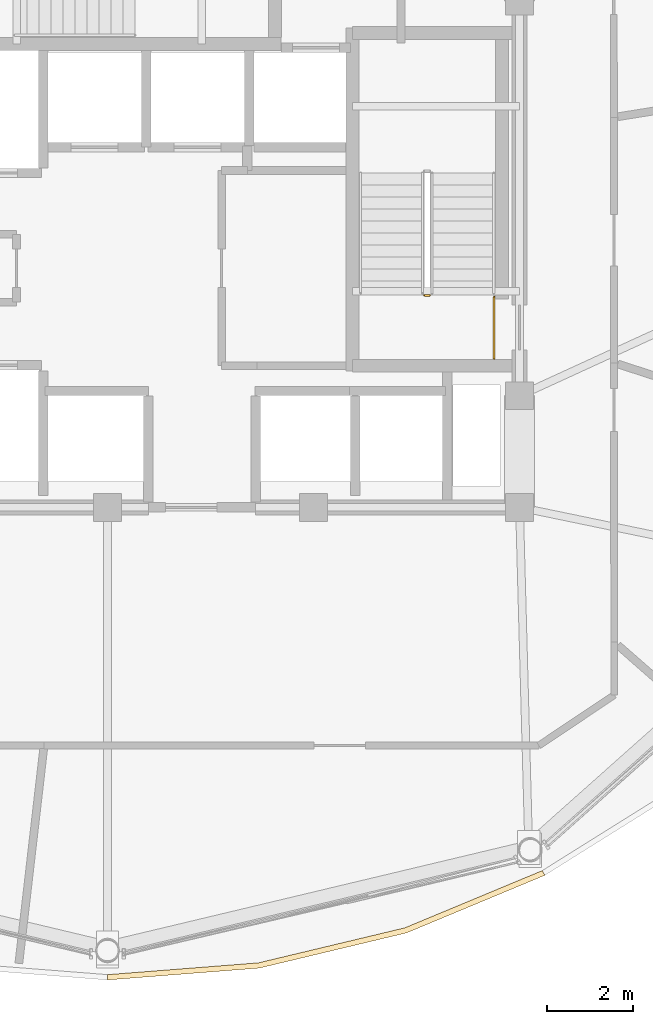
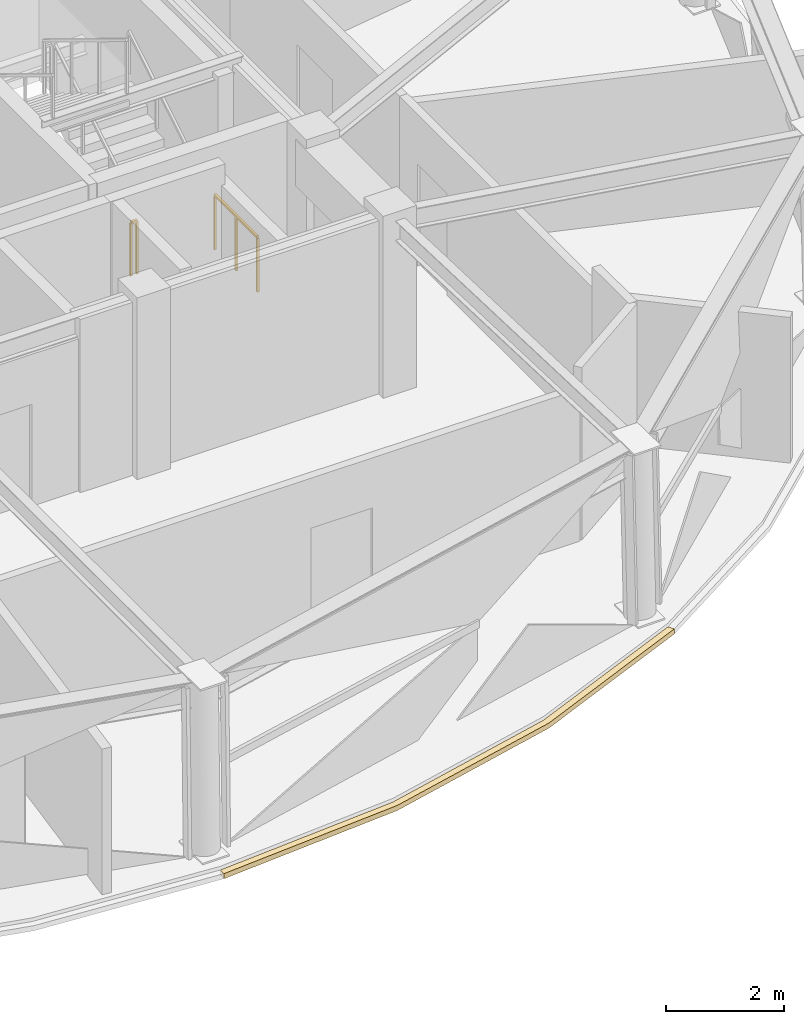
# One storey, part 12 of 14: 2 railings, 1 covering.
"""IFC4 building model written with IfcOpenShell, lengths in metres."""

import ifcopenshell
import ifcopenshell.guid

model = None  # the IFC model being written
_history = None  # IfcOwnerHistory: only IFC2X3 demands one
_inside = {}  # id of a spatial element -> (the spatial element, [elements in it])
_under = {}  # id of a project, library or spatial element -> (it, [spatial elements below it])
_declared = {}  # id of a project -> (the project, [libraries it declares])
_typed = {}  # id of a type object -> (the type object, [elements of that type])
_made_of = {}  # id of a material, layer set ... -> (it, [elements and type objects made of it])


def new_model(schema):
    """Start an empty IFC model of exactly this schema.

    Asked for "IFC4X3", IfcOpenShell would pick the latest addendum, in which some entities
    have other attributes; the version numbers below select the first issue.
    IFC2X3 requires an IfcOwnerHistory on every rooted entity: one is made here for all.
    """
    global model, _history
    if schema == "IFC4X3":
        model = ifcopenshell.file(schema_version=(4, 3, 0, 0))
    else:
        model = ifcopenshell.file(schema=schema)
    _inside.clear()
    _under.clear()
    _declared.clear()
    _typed.clear()
    _made_of.clear()
    _history = None
    if model.schema == "IFC2X3":
        org = make("IfcOrganization", Name="unknown")
        user = make(
            "IfcPersonAndOrganization",
            ThePerson=make("IfcPerson", FamilyName="unknown"),
            TheOrganization=org,
        )
        app = make(
            "IfcApplication",
            ApplicationDeveloper=org,
            Version="unknown",
            ApplicationFullName="unknown",
            ApplicationIdentifier="unknown",
        )
        _history = make(
            "IfcOwnerHistory",
            OwningUser=user,
            OwningApplication=app,
            ChangeAction="ADDED",
            CreationDate=0,
        )
    return model


def make(cls, **values):
    """One entity of the class cls with the attributes given. An attribute that is None is left unset."""
    return model.create_entity(
        cls, **{name: value for name, value in values.items() if value is not None}
    )


def rooted(cls, **values):
    """An entity with a GlobalId (a new one), such as an element, a storey or a relation."""
    return make(cls, GlobalId=ifcopenshell.guid.new(), OwnerHistory=_history, **values)


def si_unit(unit_type, name, prefix=None):
    """IfcSIUnit, for example si_unit("LENGTHUNIT", "METRE", prefix="MILLI")."""
    return make("IfcSIUnit", UnitType=unit_type, Prefix=prefix, Name=name)


def assignment(units):
    """IfcUnitAssignment: the units of a project."""
    return None if units is None else make("IfcUnitAssignment", Units=units)


def point(xyz):
    """IfcCartesianPoint."""
    return None if xyz is None else make("IfcCartesianPoint", Coordinates=xyz)


def direction(xyz):
    """IfcDirection."""
    return None if xyz is None else make("IfcDirection", DirectionRatios=xyz)


def frame(location, z_axis=None, x_axis=None):
    """IfcAxis2Placement3D, a coordinate frame: its origin and axes. An axis left out is left unset."""
    return make(
        "IfcAxis2Placement3D",
        Location=point(location),
        Axis=direction(z_axis),
        RefDirection=direction(x_axis),
    )


def frame_2d(location, x_axis=None):
    """IfcAxis2Placement2D, a coordinate frame in the plane: its origin and x axis."""
    return make(
        "IfcAxis2Placement2D", Location=point(location), RefDirection=direction(x_axis)
    )


def origin():
    """The frame at (0, 0, 0) with its axes left unset."""
    return frame((0.0, 0.0, 0.0))


def origin_2d():
    """The frame at (0, 0) in the plane with its x axis left unset."""
    return frame_2d((0.0, 0.0))


def place(relative_to, where):
    """IfcLocalPlacement: puts the frame where relative to a parent placement (None: the world)."""
    return make(
        "IfcLocalPlacement", PlacementRelTo=relative_to, RelativePlacement=where
    )


def context(
    kind, dimensions, precision=None, world=None, true_north=None, identifier=None
):
    """IfcGeometricRepresentationContext, for example the 3D "Model" context."""
    return make(
        "IfcGeometricRepresentationContext",
        ContextIdentifier=identifier,
        ContextType=kind,
        CoordinateSpaceDimension=dimensions,
        Precision=precision,
        WorldCoordinateSystem=world,
        TrueNorth=true_north,
    )


def subcontext(parent, identifier, kind, view, scale=None):
    """IfcGeometricRepresentationSubContext, for example "Body" below "Model"."""
    return make(
        "IfcGeometricRepresentationSubContext",
        ContextIdentifier=identifier,
        ContextType=kind,
        ParentContext=parent,
        TargetScale=scale,
        TargetView=view,
    )


def project(units=None, contexts=None):
    """IfcProject with its units and contexts."""
    return rooted(
        "IfcProject",
        Name="project",
        RepresentationContexts=contexts,
        UnitsInContext=assignment(units),
    )


def spatial(cls, under=None, at=None, **own):
    """A site, building, storey or space (cls), placed at a placement, below another one or the project."""
    s = rooted(cls, ObjectPlacement=at, **own)
    if under is not None:
        _under.setdefault(under.id(), (under, []))[1].append(s)
    return s


def polyline(points):
    """IfcPolyline through the points."""
    return make("IfcPolyline", Points=[point(p) for p in points])


def profile(cls, at=None, kind="AREA", **sizes):
    """A parametric profile (cls). Its sizes go by their IFC names, for example OverallWidth=200.0."""
    return make(cls, ProfileType=kind, Position=at, **sizes)


def rectangle(**sizes):
    """IfcRectangleProfileDef."""
    return profile("IfcRectangleProfileDef", **sizes)


def outline(outer, holes=None, kind="AREA"):
    """IfcArbitraryClosedProfileDef: a profile drawn as a closed curve; with holes, ...WithVoids."""
    if holes is None:
        return make("IfcArbitraryClosedProfileDef", ProfileType=kind, OuterCurve=outer)
    return make(
        "IfcArbitraryProfileDefWithVoids",
        ProfileType=kind,
        OuterCurve=outer,
        InnerCurves=holes,
    )


def extrude(swept, where, along, depth):
    """IfcExtrudedAreaSolid: the profile swept, set in the frame where, extruded along a direction by depth."""
    return make(
        "IfcExtrudedAreaSolid",
        SweptArea=swept,
        Position=where,
        ExtrudedDirection=direction(along),
        Depth=depth,
    )


def shape(context_of_items, identifier, shape_type, items):
    """IfcShapeRepresentation: the items that make up one representation, for example the "Body"."""
    return make(
        "IfcShapeRepresentation",
        ContextOfItems=context_of_items,
        RepresentationIdentifier=identifier,
        RepresentationType=shape_type,
        Items=items,
    )


def material(Name=None, Category=None):
    """IfcMaterial."""
    return make("IfcMaterial", Name=Name, Category=Category)


def layer(
    of_material, thickness, ventilated=None, Name=None, Category=None, Priority=None
):
    """IfcMaterialLayer: one layer of a wall or slab, of a material (None: an air gap)."""
    return make(
        "IfcMaterialLayer",
        Material=of_material,
        LayerThickness=thickness,
        IsVentilated=ventilated,
        Name=Name,
        Category=Category,
        Priority=Priority,
    )


def layer_set(layers, Name=None):
    """IfcMaterialLayerSet."""
    return make("IfcMaterialLayerSet", MaterialLayers=layers, LayerSetName=Name)


def made_of(thing, what):
    """Note that an element or type object is made of a material, layer set ...; save() writes the relation."""
    if what is not None:
        _made_of.setdefault(what.id(), (what, []))[1].append(thing)
    return thing


def type_object(cls, material=None, **own):
    """A type object (cls), such as IfcWallType, which elements share."""
    return made_of(rooted(cls, **own), material)


def element(
    cls,
    number,
    at=None,
    inside=None,
    cuts=None,
    type_object=None,
    material=None,
    context=None,
    identifier="Body",
    shape_type=None,
    held_by="IfcProductDefinitionShape",
    body=None,
    shapes=None,
    **own,
):
    """One element of the class cls, such as IfcWall. Its Tag is "e" and its number.

    at: its placement. inside: the storey or other place that contains it. cuts: it is an
    opening in that element (IfcRelVoidsElement). A single representation is given by context,
    identifier, shape_type and body (its items); several are given by shapes. held_by: the class
    of the entity that holds the representations. save() writes the other relations.
    """
    e = rooted(cls, Tag="e%d" % number, ObjectPlacement=at, **own)
    if body is not None:
        shapes = [shape(context, identifier, shape_type, body)]
    if shapes is not None:
        e.Representation = make(held_by, Representations=shapes)
    if inside is not None:
        _inside.setdefault(inside.id(), (inside, []))[1].append(e)
    if cuts is not None:
        rooted(
            "IfcRelVoidsElement", RelatingBuildingElement=cuts, RelatedOpeningElement=e
        )
    if type_object is not None:
        _typed.setdefault(type_object.id(), (type_object, []))[1].append(e)
    return made_of(e, material)


def aggregate(whole, parts):
    """IfcRelAggregates: a whole, such as a stair, and the parts it consists of."""
    return rooted("IfcRelAggregates", RelatingObject=whole, RelatedObjects=parts)


def save(model, path):
    """Write the relations noted so far, then the file.

    IfcRelAggregates (storeys below a building ...), IfcRelContainedInSpatialStructure (elements
    in a storey), IfcRelDefinesByType, IfcRelAssociatesMaterial and IfcRelDeclares: one each for
    every whole, place, type object, material and project.
    """
    for whole, parts in _under.values():
        aggregate(whole, parts)
    for where, things in _inside.values():
        rooted(
            "IfcRelContainedInSpatialStructure",
            RelatedElements=things,
            RelatingStructure=where,
        )
    for kind, things in _typed.values():
        rooted("IfcRelDefinesByType", RelatedObjects=things, RelatingType=kind)
    for what, things in _made_of.values():
        rooted("IfcRelAssociatesMaterial", RelatedObjects=things, RelatingMaterial=what)
    for by, libraries in _declared.values():
        rooted("IfcRelDeclares", RelatingContext=by, RelatedDefinitions=libraries)
    model.write(path)


model = new_model("IFC4")

# Units and contexts
model_context = context("Model", 3, precision=1e-05, world=origin(), true_north=direction((0.0, 1.0)))
body_context = subcontext(model_context, "Body", "Model", "MODEL_VIEW")
ifc_project = project(units=[si_unit("LENGTHUNIT", "METRE"), si_unit("AREAUNIT", "SQUARE_METRE"), si_unit("VOLUMEUNIT", "CUBIC_METRE"), si_unit("PLANEANGLEUNIT", "RADIAN"), si_unit("MASSUNIT", "GRAM", prefix="KILO")], contexts=[model_context])

# Site, building, storey
site_placement = place(None, origin())
site = spatial("IfcSite", under=ifc_project, at=site_placement, CompositionType="ELEMENT")
building_placement = place(site_placement, origin())
building = spatial("IfcBuilding", under=site, at=building_placement, Name="Vantalir Tower", CompositionType="ELEMENT")
storey_placement = place(building_placement, frame((0.0, 0.0, 271.35009765625)))
storey = spatial("IfcBuildingStorey", under=building, at=storey_placement, Name="L68", CompositionType="ELEMENT", Elevation=271.35009765625)

# Covering
ifc_material_1 = material(Name="Anodised champagne aluminium sill fascia", Category="aluminium")
ifc_layer = layer(ifc_material_1, 0.125)
ifc_layer_set = layer_set([ifc_layer], Name="Anodised champagne aluminium sill fascia")
covering_type = type_object("IfcCoveringType", Name="COV-SLAB-FASCIA-125", PredefinedType="CLADDING", material=ifc_layer_set)
covering_placement = place(storey_placement, frame((0.0, 0.0, -0.18017578125)))
element("IfcCovering", 1, at=covering_placement, inside=storey, type_object=covering_type, Name="L68 Perimeter Slab-Edge Sill Fascia 10", PredefinedType="CLADDING", context=body_context, shape_type="SweptSolid", body=[
    extrude(outline(polyline([(31.5, 6.785888671875), (35.0400390625, 7.06298828125), (38.471923828125, 7.884033203125), (41.693115234375, 9.22607421875), (41.6298828125, 9.333984375), (38.428955078125, 8.001953125), (35.01806640625, 7.18603515625), (31.5, 6.910888671875), (31.5, 6.785888671875)])), origin(), (0.0, 0.0, 1.0), 0.10498046875),
])

# Railings
ifc_material_2 = material(Name="Anodised aluminium and stainless steel guard", Category="steel")
railing_type = type_object("IfcRailingType", Name="RAL-GUARD-1120", PredefinedType="GUARDRAIL", material=ifc_material_2)
railing_1_placement = place(storey_placement, frame((39.010009765625, 22.739990234375, 0.0)))
element("IfcRailing", 2, at=railing_1_placement, inside=storey, type_object=railing_type, Name="L68 ST2 stair guard 4", PredefinedType="GUARDRAIL", context=body_context, shape_type="SweptSolid", body=[
    extrude(rectangle(XDim=0.048095703125, YDim=0.048095703125, at=origin_2d()), frame((0.0, 0.0, 1.09619140625), z_axis=(-1.0, 0.0, 0.0), x_axis=(0.0, -1.0, 0.0)), (0.0, 0.0, 1.0), 0.1201171875),
    extrude(rectangle(XDim=0.0419921875, YDim=0.0419921875, at=origin_2d()), origin(), (0.0, 0.0, 1.0), 1.072021484375),
    extrude(rectangle(XDim=0.0419921875, YDim=0.0419921875, at=origin_2d()), frame((-0.1201171875, 0.0, 0.0)), (0.0, 0.0, 1.0), 1.072021484375),
])
railing_2_placement = place(storey_placement, frame((40.510009765625, 21.260009765625, 0.0)))
element("IfcRailing", 3, at=railing_2_placement, inside=storey, type_object=railing_type, Name="L68 Stair ST2 Doorway Landing Guard", PredefinedType="GUARDRAIL", context=body_context, shape_type="SweptSolid", body=[
    extrude(rectangle(XDim=0.048095703125, YDim=0.048095703125, at=origin_2d()), frame((0.0, 0.0, 1.1259765625), z_axis=(0.0, 1.0, 0.0), x_axis=(-1.0, 0.0, 0.0)), (0.0, 0.0, 1.0), 1.43994140625),
    extrude(rectangle(XDim=0.0419921875, YDim=0.0419921875, at=origin_2d()), origin(), (0.0, 0.0, 1.0), 1.101806640625),
    extrude(rectangle(XDim=0.0419921875, YDim=0.0419921875, at=origin_2d()), frame((0.0, 0.719970703125, 0.0)), (0.0, 0.0, 1.0), 1.101806640625),
    extrude(rectangle(XDim=0.0419921875, YDim=0.0419921875, at=origin_2d()), frame((0.0, 1.43994140625, 0.0)), (0.0, 0.0, 1.0), 1.101806640625),
])

save(model, "model.ifc")
